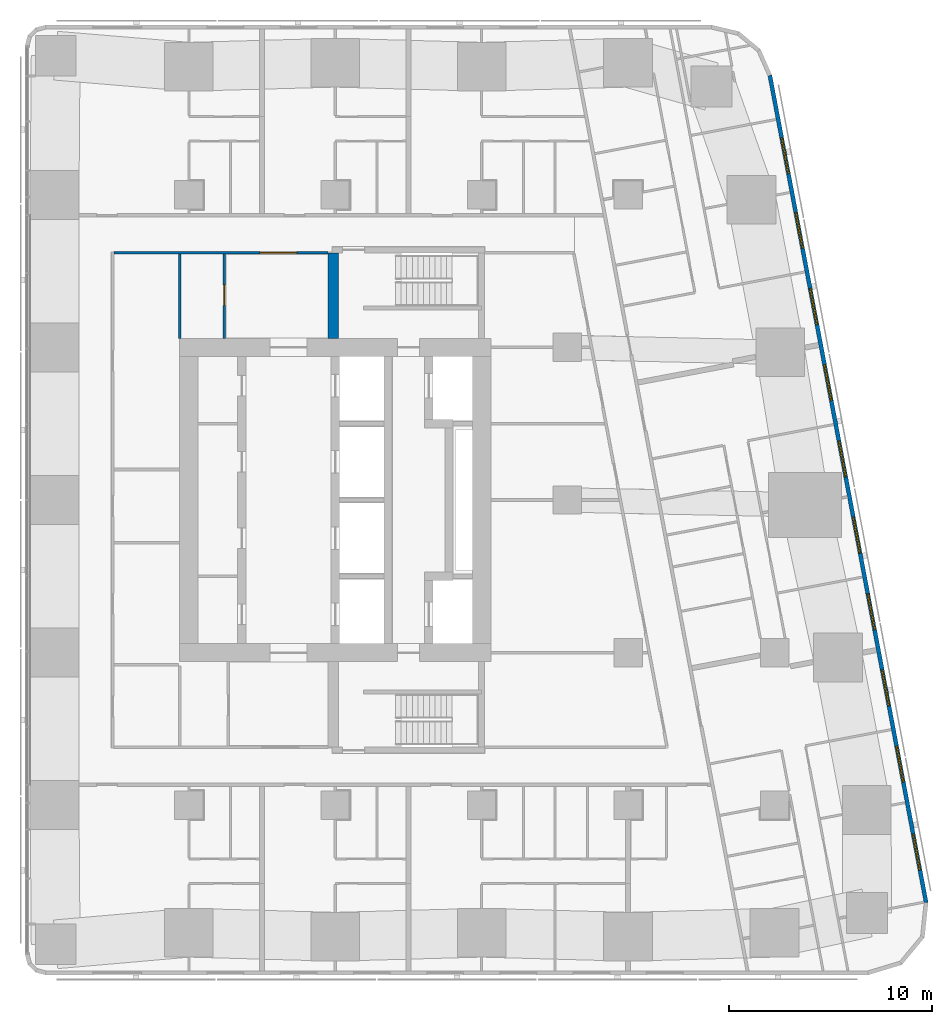
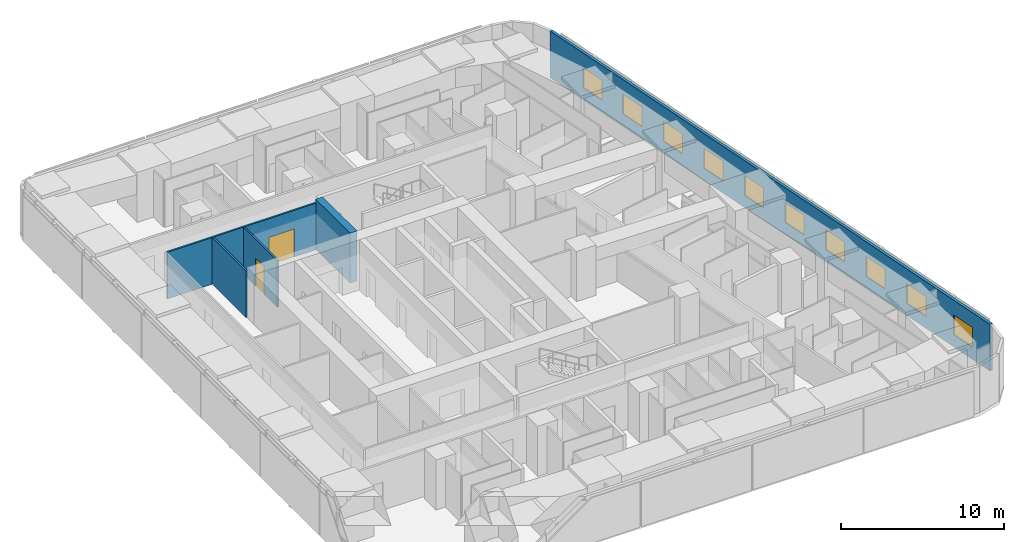
# One storey, part 12 of 17: 10 windows, 5 walls, 2 doors, 12 openings.
"""IFC4 building model written with IfcOpenShell, lengths in metres."""

from ifc_helpers import new_model, si_unit, direction, frame, frame_2d, origin, place, context, subcontext, project, spatial, rectangle, extrude, material, layer, layer_set, type_object, element, fill, save


model = new_model("IFC4")

# Units and contexts
model_context = context("Model", 3, precision=1e-05, world=origin(), true_north=direction((0.0, 1.0)))
body_context = subcontext(model_context, "Body", "Model", "MODEL_VIEW")
ifc_project = project(units=[si_unit("LENGTHUNIT", "METRE"), si_unit("AREAUNIT", "SQUARE_METRE"), si_unit("VOLUMEUNIT", "CUBIC_METRE"), si_unit("PLANEANGLEUNIT", "RADIAN"), si_unit("MASSUNIT", "GRAM", prefix="KILO")], contexts=[model_context])

# Site, building, storey
site_placement = place(None, origin())
site = spatial("IfcSite", under=ifc_project, at=site_placement, CompositionType="ELEMENT")
building_placement = place(site_placement, origin())
building = spatial("IfcBuilding", under=site, at=building_placement, Name="Sheger Commons Tower", CompositionType="ELEMENT")
storey_placement = place(building_placement, frame((0.0, 0.0, 208.699951171875)))
storey = spatial("IfcBuildingStorey", under=building, at=storey_placement, Name="L53", CompositionType="ELEMENT", Elevation=208.699951171875)

# Wall, openings, windows
ifc_material_1 = material(Name="Rendered concrete block masonry, dark grey", Category="masonry")
ifc_layer_1 = layer(ifc_material_1, 0.199951171875)
ifc_layer_set_1 = layer_set([ifc_layer_1], Name="FACADE WALL 200")
wall_type_1 = type_object("IfcWallType", Name="FACADE WALL 200", PredefinedType="SOLIDWALL", material=ifc_layer_set_1)
wall_1_placement = place(storey_placement, frame((50.653076171875, 2.702880859375, 0.0), z_axis=(0.0, 0.0, 1.0), x_axis=(-0.185612026696, 0.982623109613, 0.0)))
wall_1 = element("IfcWall", 1, at=wall_1_placement, inside=storey, type_object=wall_type_1, Name="Facade wall L53", PredefinedType="SOLIDWALL", context=body_context, shape_type="SweptSolid", body=[
    extrude(rectangle(XDim=41.393310546875, YDim=0.199951171875, at=frame_2d((20.69677734375, 0.0))), origin(), (0.0, 0.0, 1.0), 3.5),
])
opening_1_placement = place(wall_1_placement, frame((1.633056640625, 0.0, 0.89990234375)))
opening_1 = element("IfcOpeningElement", 2, at=opening_1_placement, cuts=wall_1, Name="Opening W2", PredefinedType="OPENING", context=body_context, shape_type="SweptSolid", body=[
    extrude(rectangle(XDim=1.800048828125, YDim=1.5, at=frame_2d((0.89990234375, 0.75))), frame((0.0, 0.10986328125, 0.0), z_axis=(0.0, -1.0, 0.0), x_axis=(1.0, 0.0, 0.0)), (0.0, 0.0, 1.0), 0.219970703125),
])
opening_2_placement = place(wall_1_placement, frame((6.031982421875, 0.0, 0.89990234375)))
opening_2 = element("IfcOpeningElement", 3, at=opening_2_placement, cuts=wall_1, Name="Opening W2", PredefinedType="OPENING", context=body_context, shape_type="SweptSolid", body=[
    extrude(rectangle(XDim=1.800048828125, YDim=1.5, at=frame_2d((0.89990234375, 0.75))), frame((0.0, 0.10986328125, 0.0), z_axis=(0.0, -1.0, 0.0), x_axis=(1.0, 0.0, 0.0)), (0.0, 0.0, 1.0), 0.219970703125),
])
opening_3_placement = place(wall_1_placement, frame((9.847900390625, 0.0, 0.89990234375)))
opening_3 = element("IfcOpeningElement", 4, at=opening_3_placement, cuts=wall_1, Name="Opening W2", PredefinedType="OPENING", context=body_context, shape_type="SweptSolid", body=[
    extrude(rectangle(XDim=1.800048828125, YDim=1.5, at=frame_2d((0.89990234375, 0.75))), frame((0.0, 0.10986328125, 0.0), z_axis=(0.0, -1.0, 0.0), x_axis=(1.0, 0.0, 0.0)), (0.0, 0.0, 1.0), 0.219970703125),
])
opening_4_placement = place(wall_1_placement, frame((13.6640625, 0.0, 0.89990234375)))
opening_4 = element("IfcOpeningElement", 5, at=opening_4_placement, cuts=wall_1, Name="Opening W2", PredefinedType="OPENING", context=body_context, shape_type="SweptSolid", body=[
    extrude(rectangle(XDim=1.800048828125, YDim=1.5, at=frame_2d((0.89990234375, 0.75))), frame((0.0, 0.10986328125, 0.0), z_axis=(0.0, -1.0, 0.0), x_axis=(1.0, 0.0, 0.0)), (0.0, 0.0, 1.0), 0.219970703125),
])
opening_5_placement = place(wall_1_placement, frame((17.48095703125, 0.0, 0.89990234375)))
opening_5 = element("IfcOpeningElement", 6, at=opening_5_placement, cuts=wall_1, Name="Opening W2", PredefinedType="OPENING", context=body_context, shape_type="SweptSolid", body=[
    extrude(rectangle(XDim=1.800048828125, YDim=1.5, at=frame_2d((0.89990234375, 0.75))), frame((0.0, 0.10986328125, 0.0), z_axis=(0.0, -1.0, 0.0), x_axis=(1.0, 0.0, 0.0)), (0.0, 0.0, 1.0), 0.219970703125),
])
opening_6_placement = place(wall_1_placement, frame((21.297119140625, 0.0, 0.89990234375)))
opening_6 = element("IfcOpeningElement", 7, at=opening_6_placement, cuts=wall_1, Name="Opening W2", PredefinedType="OPENING", context=body_context, shape_type="SweptSolid", body=[
    extrude(rectangle(XDim=1.800048828125, YDim=1.5, at=frame_2d((0.89990234375, 0.75))), frame((0.0, 0.10986328125, 0.0), z_axis=(0.0, -1.0, 0.0), x_axis=(1.0, 0.0, 0.0)), (0.0, 0.0, 1.0), 0.219970703125),
])
opening_7_placement = place(wall_1_placement, frame((25.113037109375, 0.0, 0.89990234375)))
opening_7 = element("IfcOpeningElement", 8, at=opening_7_placement, cuts=wall_1, Name="Opening W2", PredefinedType="OPENING", context=body_context, shape_type="SweptSolid", body=[
    extrude(rectangle(XDim=1.800048828125, YDim=1.5, at=frame_2d((0.89990234375, 0.75))), frame((0.0, 0.10986328125, 0.0), z_axis=(0.0, -1.0, 0.0), x_axis=(1.0, 0.0, 0.0)), (0.0, 0.0, 1.0), 0.219970703125),
])
opening_8_placement = place(wall_1_placement, frame((28.929931640625, 0.0, 0.89990234375)))
opening_8 = element("IfcOpeningElement", 9, at=opening_8_placement, cuts=wall_1, Name="Opening W2", PredefinedType="OPENING", context=body_context, shape_type="SweptSolid", body=[
    extrude(rectangle(XDim=1.800048828125, YDim=1.5, at=frame_2d((0.89990234375, 0.75))), frame((0.0, 0.10986328125, 0.0), z_axis=(0.0, -1.0, 0.0), x_axis=(1.0, 0.0, 0.0)), (0.0, 0.0, 1.0), 0.219970703125),
])
opening_9_placement = place(wall_1_placement, frame((32.74609375, 0.0, 0.89990234375)))
opening_9 = element("IfcOpeningElement", 10, at=opening_9_placement, cuts=wall_1, Name="Opening W2", PredefinedType="OPENING", context=body_context, shape_type="SweptSolid", body=[
    extrude(rectangle(XDim=1.800048828125, YDim=1.5, at=frame_2d((0.89990234375, 0.75))), frame((0.0, 0.10986328125, 0.0), z_axis=(0.0, -1.0, 0.0), x_axis=(1.0, 0.0, 0.0)), (0.0, 0.0, 1.0), 0.219970703125),
])
opening_10_placement = place(wall_1_placement, frame((36.48095703125, 0.0, 0.89990234375)))
opening_10 = element("IfcOpeningElement", 11, at=opening_10_placement, cuts=wall_1, Name="Opening W2", PredefinedType="OPENING", context=body_context, shape_type="SweptSolid", body=[
    extrude(rectangle(XDim=1.800048828125, YDim=1.5, at=frame_2d((0.89990234375, 0.75))), frame((0.0, 0.10986328125, 0.0), z_axis=(0.0, -1.0, 0.0), x_axis=(1.0, 0.0, 0.0)), (0.0, 0.0, 1.0), 0.219970703125),
])
ifc_material_2 = material(Name="Black aluminium frame, dark tinted double glazing", Category="aluminium")
window_type = type_object("IfcWindowType", Name="WINDOW W2 1800x1500", PartitioningType="SINGLE_PANEL", PredefinedType="WINDOW", material=ifc_material_2)
window_1_placement = place(opening_1_placement, origin())
window_1 = element("IfcWindow", 12, at=window_1_placement, inside=storey, type_object=window_type, Name="Window W2 1800X1500", OverallHeight=1.5, OverallWidth=1.800048828125, PartitioningType="SINGLE_PANEL", PredefinedType="WINDOW", context=body_context, shape_type="SweptSolid", body=[
    extrude(rectangle(XDim=1.800048828125, YDim=1.5, at=frame_2d((0.89990234375, 0.75))), frame((0.0, 0.030029296875, 0.0), z_axis=(0.0, -1.0, 0.0), x_axis=(1.0, 0.0, 0.0)), (0.0, 0.0, 1.0), 0.06005859375),
])
fill(opening_1, window_1)
window_2_placement = place(opening_2_placement, origin())
window_2 = element("IfcWindow", 13, at=window_2_placement, inside=storey, type_object=window_type, Name="Window W2 1800X1500", OverallHeight=1.5, OverallWidth=1.800048828125, PartitioningType="SINGLE_PANEL", PredefinedType="WINDOW", context=body_context, shape_type="SweptSolid", body=[
    extrude(rectangle(XDim=1.800048828125, YDim=1.5, at=frame_2d((0.89990234375, 0.75))), frame((0.0, 0.030029296875, 0.0), z_axis=(0.0, -1.0, 0.0), x_axis=(1.0, 0.0, 0.0)), (0.0, 0.0, 1.0), 0.06005859375),
])
fill(opening_2, window_2)
window_3_placement = place(opening_3_placement, origin())
window_3 = element("IfcWindow", 14, at=window_3_placement, inside=storey, type_object=window_type, Name="Window W2 1800X1500", OverallHeight=1.5, OverallWidth=1.800048828125, PartitioningType="SINGLE_PANEL", PredefinedType="WINDOW", context=body_context, shape_type="SweptSolid", body=[
    extrude(rectangle(XDim=1.800048828125, YDim=1.5, at=frame_2d((0.89990234375, 0.75))), frame((0.0, 0.030029296875, 0.0), z_axis=(0.0, -1.0, 0.0), x_axis=(1.0, 0.0, 0.0)), (0.0, 0.0, 1.0), 0.06005859375),
])
fill(opening_3, window_3)
window_4_placement = place(opening_4_placement, origin())
window_4 = element("IfcWindow", 15, at=window_4_placement, inside=storey, type_object=window_type, Name="Window W2 1800X1500", OverallHeight=1.5, OverallWidth=1.800048828125, PartitioningType="SINGLE_PANEL", PredefinedType="WINDOW", context=body_context, shape_type="SweptSolid", body=[
    extrude(rectangle(XDim=1.800048828125, YDim=1.5, at=frame_2d((0.89990234375, 0.75))), frame((0.0, 0.030029296875, 0.0), z_axis=(0.0, -1.0, 0.0), x_axis=(1.0, 0.0, 0.0)), (0.0, 0.0, 1.0), 0.06005859375),
])
fill(opening_4, window_4)
window_5_placement = place(opening_5_placement, origin())
window_5 = element("IfcWindow", 16, at=window_5_placement, inside=storey, type_object=window_type, Name="Window W2 1800X1500", OverallHeight=1.5, OverallWidth=1.800048828125, PartitioningType="SINGLE_PANEL", PredefinedType="WINDOW", context=body_context, shape_type="SweptSolid", body=[
    extrude(rectangle(XDim=1.800048828125, YDim=1.5, at=frame_2d((0.89990234375, 0.75))), frame((0.0, 0.030029296875, 0.0), z_axis=(0.0, -1.0, 0.0), x_axis=(1.0, 0.0, 0.0)), (0.0, 0.0, 1.0), 0.06005859375),
])
fill(opening_5, window_5)
window_6_placement = place(opening_6_placement, origin())
window_6 = element("IfcWindow", 17, at=window_6_placement, inside=storey, type_object=window_type, Name="Window W2 1800X1500", OverallHeight=1.5, OverallWidth=1.800048828125, PartitioningType="SINGLE_PANEL", PredefinedType="WINDOW", context=body_context, shape_type="SweptSolid", body=[
    extrude(rectangle(XDim=1.800048828125, YDim=1.5, at=frame_2d((0.89990234375, 0.75))), frame((0.0, 0.030029296875, 0.0), z_axis=(0.0, -1.0, 0.0), x_axis=(1.0, 0.0, 0.0)), (0.0, 0.0, 1.0), 0.06005859375),
])
fill(opening_6, window_6)
window_7_placement = place(opening_7_placement, origin())
window_7 = element("IfcWindow", 18, at=window_7_placement, inside=storey, type_object=window_type, Name="Window W2 1800X1500", OverallHeight=1.5, OverallWidth=1.800048828125, PartitioningType="SINGLE_PANEL", PredefinedType="WINDOW", context=body_context, shape_type="SweptSolid", body=[
    extrude(rectangle(XDim=1.800048828125, YDim=1.5, at=frame_2d((0.89990234375, 0.75))), frame((0.0, 0.030029296875, 0.0), z_axis=(0.0, -1.0, 0.0), x_axis=(1.0, 0.0, 0.0)), (0.0, 0.0, 1.0), 0.06005859375),
])
fill(opening_7, window_7)
window_8_placement = place(opening_8_placement, origin())
window_8 = element("IfcWindow", 19, at=window_8_placement, inside=storey, type_object=window_type, Name="Window W2 1800X1500", OverallHeight=1.5, OverallWidth=1.800048828125, PartitioningType="SINGLE_PANEL", PredefinedType="WINDOW", context=body_context, shape_type="SweptSolid", body=[
    extrude(rectangle(XDim=1.800048828125, YDim=1.5, at=frame_2d((0.89990234375, 0.75))), frame((0.0, 0.030029296875, 0.0), z_axis=(0.0, -1.0, 0.0), x_axis=(1.0, 0.0, 0.0)), (0.0, 0.0, 1.0), 0.06005859375),
])
fill(opening_8, window_8)
window_9_placement = place(opening_9_placement, origin())
window_9 = element("IfcWindow", 20, at=window_9_placement, inside=storey, type_object=window_type, Name="Window W2 1800X1500", OverallHeight=1.5, OverallWidth=1.800048828125, PartitioningType="SINGLE_PANEL", PredefinedType="WINDOW", context=body_context, shape_type="SweptSolid", body=[
    extrude(rectangle(XDim=1.800048828125, YDim=1.5, at=frame_2d((0.89990234375, 0.75))), frame((0.0, 0.030029296875, 0.0), z_axis=(0.0, -1.0, 0.0), x_axis=(1.0, 0.0, 0.0)), (0.0, 0.0, 1.0), 0.06005859375),
])
fill(opening_9, window_9)
window_10_placement = place(opening_10_placement, origin())
window_10 = element("IfcWindow", 21, at=window_10_placement, inside=storey, type_object=window_type, Name="Window W2 1800X1500", OverallHeight=1.5, OverallWidth=1.800048828125, PartitioningType="SINGLE_PANEL", PredefinedType="WINDOW", context=body_context, shape_type="SweptSolid", body=[
    extrude(rectangle(XDim=1.800048828125, YDim=1.5, at=frame_2d((0.89990234375, 0.75))), frame((0.0, 0.030029296875, 0.0), z_axis=(0.0, -1.0, 0.0), x_axis=(1.0, 0.0, 0.0)), (0.0, 0.0, 1.0), 0.06005859375),
])
fill(opening_10, window_10)

# Wall
ifc_material_3 = material(Name="Gypsum board on steel studs, two layers each side, fire rated", Category="steel")
ifc_layer_2 = layer(ifc_material_3, 0.125)
ifc_layer_set_2 = layer_set([ifc_layer_2], Name="SERVICE WALL 125")
wall_type_2 = type_object("IfcWallType", Name="SERVICE WALL 125", PredefinedType="PARTITIONING", material=ifc_layer_set_2)
wall_2_placement = place(storey_placement, frame((13.949951171875, 30.449951171875, 0.0), z_axis=(0.0, 0.0, 1.0), x_axis=(0.0, 1.0, 0.0)))
element("IfcWall", 22, at=wall_2_placement, inside=storey, type_object=wall_type_2, Name="Service room wall L53", PredefinedType="PARTITIONING", context=body_context, shape_type="SweptSolid", body=[
    extrude(rectangle(XDim=4.136962890625, YDim=0.125, at=frame_2d((2.068359375, 0.0))), origin(), (0.0, 0.0, 1.0), 3.5),
])

# Wall, opening, door
wall_3_placement = place(storey_placement, frame((10.712890625, 34.64990234375, 0.0), z_axis=(0.0, 0.0, 1.0), x_axis=(1.0, 0.0, 0.0)))
wall_3 = element("IfcWall", 23, at=wall_3_placement, inside=storey, type_object=wall_type_2, Name="Service room wall L53", PredefinedType="PARTITIONING", context=body_context, shape_type="SweptSolid", body=[
    extrude(rectangle(XDim=10.537109375, YDim=0.125, at=frame_2d((5.2685546875, 0.0))), origin(), (0.0, 0.0, 1.0), 3.5),
])
opening_11_placement = place(wall_3_placement, frame((7.18701171875, 0.0, 0.0)))
opening_11 = element("IfcOpeningElement", 24, at=opening_11_placement, cuts=wall_3, Name="Opening D6", PredefinedType="OPENING", context=body_context, shape_type="SweptSolid", body=[
    extrude(rectangle(XDim=1.800048828125, YDim=2.10009765625, at=frame_2d((0.89990234375, 1.050048828125))), frame((0.0, 0.072509765625, 0.0), z_axis=(0.0, -1.0, 0.0), x_axis=(1.0, 0.0, 0.0)), (0.0, 0.0, 1.0), 0.14501953125),
])
ifc_material_4 = material(Name="Steel door set, fire rated", Category="steel")
door_type_1 = type_object("IfcDoorType", Name="LOBBY DOUBLE DOOR 1800x2100", OperationType="DOUBLE_DOOR_SINGLE_SWING", PredefinedType="DOOR", material=ifc_material_4)
door_1_placement = place(opening_11_placement, origin())
door_1 = element("IfcDoor", 25, at=door_1_placement, inside=storey, type_object=door_type_1, Name="Lift lobby north door", OperationType="DOUBLE_DOOR_SINGLE_SWING", OverallHeight=2.10009765625, OverallWidth=1.800048828125, PredefinedType="DOOR", context=body_context, shape_type="SweptSolid", body=[
    extrude(rectangle(XDim=1.800048828125, YDim=2.10009765625, at=frame_2d((0.89990234375, 1.050048828125))), frame((0.0, 0.02490234375, 0.0), z_axis=(0.0, -1.0, 0.0), x_axis=(1.0, 0.0, 0.0)), (0.0, 0.0, 1.0), 0.050048828125),
])
fill(opening_11, door_1)

wall_4_placement = place(storey_placement, frame((16.14990234375, 30.449951171875, 0.0), z_axis=(0.0, 0.0, 1.0), x_axis=(0.0, 1.0, 0.0)))
wall_4 = element("IfcWall", 26, at=wall_4_placement, inside=storey, type_object=wall_type_2, Name="Service room wall L53", PredefinedType="PARTITIONING", context=body_context, shape_type="SweptSolid", body=[
    extrude(rectangle(XDim=4.136962890625, YDim=0.125, at=frame_2d((2.068359375, 0.0))), origin(), (0.0, 0.0, 1.0), 3.5),
])
opening_12_placement = place(wall_4_placement, frame((1.625, 0.0, 0.0)))
opening_12 = element("IfcOpeningElement", 27, at=opening_12_placement, cuts=wall_4, Name="Opening D4", PredefinedType="OPENING", context=body_context, shape_type="SweptSolid", body=[
    extrude(rectangle(XDim=1.0, YDim=2.10009765625, at=frame_2d((0.5, 1.050048828125))), frame((0.0, 0.072509765625, 0.0), z_axis=(0.0, -1.0, 0.0), x_axis=(1.0, 0.0, 0.0)), (0.0, 0.0, 1.0), 0.14501953125),
])
ifc_material_5 = material(Name="Steel door set, fire rated", Category="steel")
door_type_2 = type_object("IfcDoorType", Name="SERVICE DOOR 1000x2100", OperationType="NOTDEFINED", PredefinedType="DOOR", material=ifc_material_5)
door_2_placement = place(opening_12_placement, origin())
door_2 = element("IfcDoor", 28, at=door_2_placement, inside=storey, type_object=door_type_2, Name="Telecom room door", OperationType="SINGLE_SWING_RIGHT", OverallHeight=2.10009765625, OverallWidth=1.0, PredefinedType="DOOR", context=body_context, shape_type="SweptSolid", body=[
    extrude(rectangle(XDim=1.0, YDim=2.10009765625, at=frame_2d((0.5, 1.050048828125))), frame((0.0, 0.02490234375, 0.0), z_axis=(0.0, -1.0, 0.0), x_axis=(1.0, 0.0, 0.0)), (0.0, 0.0, 1.0), 0.050048828125),
])
fill(opening_12, door_2)

# Wall
ifc_material_6 = material(Name="Concrete C50/60", Category="concrete")
ifc_layer_3 = layer(ifc_material_6, 0.5)
ifc_layer_set_3 = layer_set([ifc_layer_3], Name="STAIR CORE WALL 500")
wall_type_3 = type_object("IfcWallType", Name="STAIR CORE WALL 500", PredefinedType="SHEAR", material=ifc_layer_set_3)
wall_5_placement = place(storey_placement, frame((21.5, 30.449951171875, 0.0), z_axis=(0.0, 0.0, 1.0), x_axis=(0.0, 1.0, 0.0)))
element("IfcWall", 29, at=wall_5_placement, inside=storey, type_object=wall_type_3, Name="STW-L53-S2W", PredefinedType="SHEAR", context=body_context, shape_type="SweptSolid", body=[
    extrude(rectangle(XDim=4.199951171875, YDim=0.5, at=frame_2d((2.10009765625, 0.0))), origin(), (0.0, 0.0, 1.0), 3.75),
])

save(model, "model.ifc")
